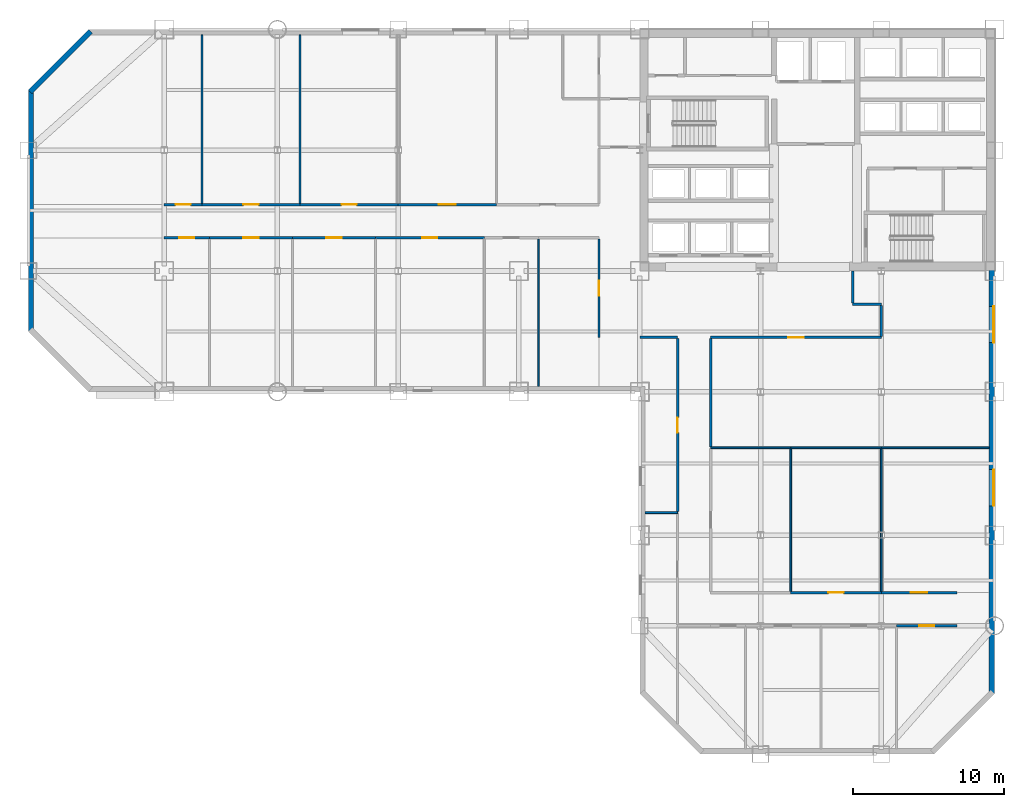
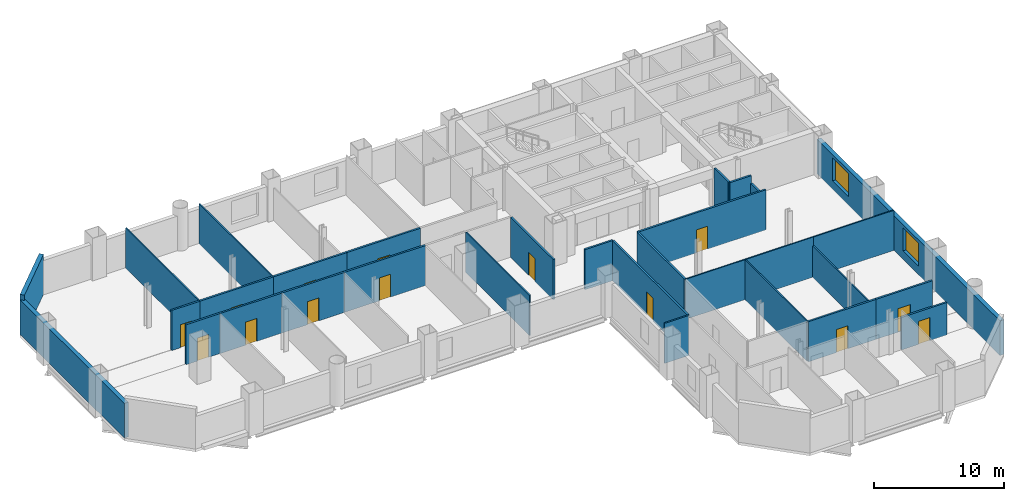
# One storey, part 5 of 9: 31 walls, 14 doors, 2 windows, 16 openings.
"""IFC4 building model written with IfcOpenShell, lengths in metres."""

from ifc_helpers import new_model, si_unit, direction, frame, frame_2d, origin, place, context, subcontext, project, spatial, rectangle, extrude, material, layer, layer_set, type_object, element, fill, save


model = new_model("IFC4")

# Units and contexts
model_context = context("Model", 3, precision=1e-05, world=origin(), true_north=direction((0.0, 1.0)))
body_context = subcontext(model_context, "Body", "Model", "MODEL_VIEW")
ifc_project = project(units=[si_unit("LENGTHUNIT", "METRE"), si_unit("AREAUNIT", "SQUARE_METRE"), si_unit("VOLUMEUNIT", "CUBIC_METRE"), si_unit("PLANEANGLEUNIT", "RADIAN"), si_unit("MASSUNIT", "GRAM", prefix="KILO")], contexts=[model_context])

# Site, building, storey
site_placement = place(None, origin())
site = spatial("IfcSite", under=ifc_project, at=site_placement, CompositionType="ELEMENT")
building_placement = place(site_placement, origin())
building = spatial("IfcBuilding", under=site, at=building_placement, Name="Qianrong Seaharbour Tower", CompositionType="ELEMENT")
storey_placement = place(building_placement, frame((0.0, 0.0, 96.199951171875)))
storey = spatial("IfcBuildingStorey", under=building, at=storey_placement, Name="L23", CompositionType="ELEMENT", Elevation=96.199951171875)

# Wall, opening, door
ifc_material_1 = material(Name="Fire-rated acoustic gypsum board partition")
ifc_layer_1 = layer(ifc_material_1, 0.1650390625)
ifc_layer_set_1 = layer_set([ifc_layer_1], Name="Fire-rated acoustic gypsum board partition")
wall_type_1 = type_object("IfcWallType", Name="WALL-CORR-PART-165", PredefinedType="PARTITIONING", material=ifc_layer_set_1)
wall_1_placement = place(storey_placement, frame((9.0, 40.39990234375, 0.0), z_axis=(0.0, 0.0, 1.0), x_axis=(1.0, 0.0, 0.0)))
wall_1 = element("IfcWall", 1, at=wall_1_placement, inside=storey, type_object=wall_type_1, Name="L23 Interior Partition Wall 015", PredefinedType="PARTITIONING", context=body_context, shape_type="SweptSolid", body=[
    extrude(rectangle(XDim=2.5, YDim=0.1650390625, at=frame_2d((1.25, 0.0))), origin(), (0.0, 0.0, 1.0), 3.75),
])
opening_1_placement = place(wall_1_placement, frame((0.75, 0.0, 0.0)))
opening_1 = element("IfcOpeningElement", 2, at=opening_1_placement, cuts=wall_1, Name="Opening DO-01", PredefinedType="OPENING", context=body_context, shape_type="SweptSolid", body=[
    extrude(rectangle(XDim=1.0, YDim=2.14990234375, at=frame_2d((0.5, 1.074951171875))), frame((0.0, 0.092529296875, 0.0), z_axis=(0.0, -1.0, 0.0), x_axis=(1.0, 0.0, 0.0)), (0.0, 0.0, 1.0), 0.18505859375),
])
ifc_material_2 = material(Name="Acoustic timber and galvanized steel fire door assembly", Category="steel")
door_type_1 = type_object("IfcDoorType", Name="DOOR-OFFICE-1000x2150", OperationType="NOTDEFINED", PredefinedType="DOOR", material=ifc_material_2)
door_1_placement = place(opening_1_placement, origin())
door_1 = element("IfcDoor", 3, at=door_1_placement, inside=storey, type_object=door_type_1, Name="L23 Vessel Model Showroom 1 Door", OperationType="SINGLE_SWING_RIGHT", OverallHeight=2.14990234375, OverallWidth=1.0, PredefinedType="DOOR", context=body_context, shape_type="SweptSolid", body=[
    extrude(rectangle(XDim=1.0, YDim=2.14990234375, at=frame_2d((0.5, 1.074951171875))), frame((0.0, 0.02490234375, 0.0), z_axis=(0.0, -1.0, 0.0), x_axis=(1.0, 0.0, 0.0)), (0.0, 0.0, 1.0), 0.050048828125),
])
fill(opening_1, door_1)

wall_2_placement = place(storey_placement, frame((11.5, 40.39990234375, 0.0), z_axis=(0.0, 0.0, 1.0), x_axis=(1.0, 0.0, 0.0)))
wall_2 = element("IfcWall", 4, at=wall_2_placement, inside=storey, type_object=wall_type_1, Name="L23 Interior Partition Wall 016", PredefinedType="PARTITIONING", context=body_context, shape_type="SweptSolid", body=[
    extrude(rectangle(XDim=6.5, YDim=0.1650390625, at=frame_2d((3.25, 0.0))), origin(), (0.0, 0.0, 1.0), 3.75),
])
opening_2_placement = place(wall_2_placement, frame((2.75, 0.0, 0.0)))
opening_2 = element("IfcOpeningElement", 5, at=opening_2_placement, cuts=wall_2, Name="Opening DO-01", PredefinedType="OPENING", context=body_context, shape_type="SweptSolid", body=[
    extrude(rectangle(XDim=1.0, YDim=2.14990234375, at=frame_2d((0.5, 1.074951171875))), frame((0.0, 0.092529296875, 0.0), z_axis=(0.0, -1.0, 0.0), x_axis=(1.0, 0.0, 0.0)), (0.0, 0.0, 1.0), 0.18505859375),
])
door_2_placement = place(opening_2_placement, origin())
door_2 = element("IfcDoor", 6, at=door_2_placement, inside=storey, type_object=door_type_1, Name="L23 Navigation Systems Showroom 2 Door", OperationType="SINGLE_SWING_LEFT", OverallHeight=2.14990234375, OverallWidth=1.0, PredefinedType="DOOR", context=body_context, shape_type="SweptSolid", body=[
    extrude(rectangle(XDim=1.0, YDim=2.14990234375, at=frame_2d((0.5, 1.074951171875))), frame((0.0, 0.02490234375, 0.0), z_axis=(0.0, -1.0, 0.0), x_axis=(1.0, 0.0, 0.0)), (0.0, 0.0, 1.0), 0.050048828125),
])
fill(opening_2, door_2)

wall_3_placement = place(storey_placement, frame((18.0, 40.39990234375, 0.0), z_axis=(0.0, 0.0, 1.0), x_axis=(1.0, 0.0, 0.0)))
wall_3 = element("IfcWall", 7, at=wall_3_placement, inside=storey, type_object=wall_type_1, Name="L23 Interior Partition Wall 017", PredefinedType="PARTITIONING", context=body_context, shape_type="SweptSolid", body=[
    extrude(rectangle(XDim=6.5, YDim=0.1650390625, at=frame_2d((3.25, 0.0))), origin(), (0.0, 0.0, 1.0), 3.75),
])
opening_3_placement = place(wall_3_placement, frame((2.75, 0.0, 0.0)))
opening_3 = element("IfcOpeningElement", 8, at=opening_3_placement, cuts=wall_3, Name="Opening DO-01", PredefinedType="OPENING", context=body_context, shape_type="SweptSolid", body=[
    extrude(rectangle(XDim=1.0, YDim=2.14990234375, at=frame_2d((0.5, 1.074951171875))), frame((0.0, 0.092529296875, 0.0), z_axis=(0.0, -1.0, 0.0), x_axis=(1.0, 0.0, 0.0)), (0.0, 0.0, 1.0), 0.18505859375),
])
door_3_placement = place(opening_3_placement, origin())
door_3 = element("IfcDoor", 9, at=door_3_placement, inside=storey, type_object=door_type_1, Name="L23 Marine Propulsion Showroom 3 Door", OperationType="SINGLE_SWING_RIGHT", OverallHeight=2.14990234375, OverallWidth=1.0, PredefinedType="DOOR", context=body_context, shape_type="SweptSolid", body=[
    extrude(rectangle(XDim=1.0, YDim=2.14990234375, at=frame_2d((0.5, 1.074951171875))), frame((0.0, 0.02490234375, 0.0), z_axis=(0.0, -1.0, 0.0), x_axis=(1.0, 0.0, 0.0)), (0.0, 0.0, 1.0), 0.050048828125),
])
fill(opening_3, door_3)

wall_4_placement = place(storey_placement, frame((24.5, 40.39990234375, 0.0), z_axis=(0.0, 0.0, 1.0), x_axis=(1.0, 0.0, 0.0)))
wall_4 = element("IfcWall", 10, at=wall_4_placement, inside=storey, type_object=wall_type_1, Name="L23 Interior Partition Wall 018", PredefinedType="PARTITIONING", context=body_context, shape_type="SweptSolid", body=[
    extrude(rectangle(XDim=6.5, YDim=0.1650390625, at=frame_2d((3.25, 0.0))), origin(), (0.0, 0.0, 1.0), 3.75),
])
opening_4_placement = place(wall_4_placement, frame((2.699951171875, 0.0, 0.0)))
opening_4 = element("IfcOpeningElement", 11, at=opening_4_placement, cuts=wall_4, Name="Opening DM-01", PredefinedType="OPENING", context=body_context, shape_type="SweptSolid", body=[
    extrude(rectangle(XDim=1.10009765625, YDim=2.199951171875, at=frame_2d((0.550048828125, 1.10009765625))), frame((0.0, 0.092529296875, 0.0), z_axis=(0.0, -1.0, 0.0), x_axis=(1.0, 0.0, 0.0)), (0.0, 0.0, 1.0), 0.18505859375),
])
door_type_2 = type_object("IfcDoorType", Name="DOOR-MEET-1100x2200", OperationType="NOTDEFINED", PredefinedType="DOOR", material=ifc_material_2)
door_4_placement = place(opening_4_placement, origin())
door_4 = element("IfcDoor", 12, at=door_4_placement, inside=storey, type_object=door_type_2, Name="L23 Contract Meeting Room 4 Door", OperationType="SINGLE_SWING_LEFT", OverallHeight=2.199951171875, OverallWidth=1.10009765625, PredefinedType="DOOR", context=body_context, shape_type="SweptSolid", body=[
    extrude(rectangle(XDim=1.10009765625, YDim=2.199951171875, at=frame_2d((0.550048828125, 1.10009765625))), frame((0.0, 0.02490234375, 0.0), z_axis=(0.0, -1.0, 0.0), x_axis=(1.0, 0.0, 0.0)), (0.0, 0.0, 1.0), 0.050048828125),
])
fill(opening_4, door_4)

wall_5_placement = place(storey_placement, frame((12.0, 38.199951171875, 0.0), z_axis=(0.0, 0.0, 1.0), x_axis=(-1.0, 0.0, 0.0)))
wall_5 = element("IfcWall", 13, at=wall_5_placement, inside=storey, type_object=wall_type_1, Name="L23 Interior Partition Wall 020", PredefinedType="PARTITIONING", context=body_context, shape_type="SweptSolid", body=[
    extrude(rectangle(XDim=3.0, YDim=0.1650390625, at=frame_2d((1.5, 0.0))), origin(), (0.0, 0.0, 1.0), 3.75),
])
opening_5_placement = place(wall_5_placement, frame((1.0, 0.0, 0.0)))
opening_5 = element("IfcOpeningElement", 14, at=opening_5_placement, cuts=wall_5, Name="Opening DO-01", PredefinedType="OPENING", context=body_context, shape_type="SweptSolid", body=[
    extrude(rectangle(XDim=1.0, YDim=2.14990234375, at=frame_2d((0.5, 1.074951171875))), frame((0.0, 0.092529296875, 0.0), z_axis=(0.0, -1.0, 0.0), x_axis=(1.0, 0.0, 0.0)), (0.0, 0.0, 1.0), 0.18505859375),
])
door_5_placement = place(opening_5_placement, origin())
door_5 = element("IfcDoor", 15, at=door_5_placement, inside=storey, type_object=door_type_1, Name="L23 Cargo Systems Showroom 1 Door", OperationType="SINGLE_SWING_LEFT", OverallHeight=2.14990234375, OverallWidth=1.0, PredefinedType="DOOR", context=body_context, shape_type="SweptSolid", body=[
    extrude(rectangle(XDim=1.0, YDim=2.14990234375, at=frame_2d((0.5, 1.074951171875))), frame((0.0, 0.02490234375, 0.0), z_axis=(0.0, -1.0, 0.0), x_axis=(1.0, 0.0, 0.0)), (0.0, 0.0, 1.0), 0.050048828125),
])
fill(opening_5, door_5)

wall_6_placement = place(storey_placement, frame((17.5, 38.199951171875, 0.0), z_axis=(0.0, 0.0, 1.0), x_axis=(-1.0, 0.0, 0.0)))
wall_6 = element("IfcWall", 16, at=wall_6_placement, inside=storey, type_object=wall_type_1, Name="L23 Interior Partition Wall 021", PredefinedType="PARTITIONING", context=body_context, shape_type="SweptSolid", body=[
    extrude(rectangle(XDim=5.5, YDim=0.1650390625, at=frame_2d((2.75, 0.0))), origin(), (0.0, 0.0, 1.0), 3.75),
])
opening_6_placement = place(wall_6_placement, frame((2.25, 0.0, 0.0)))
opening_6 = element("IfcOpeningElement", 17, at=opening_6_placement, cuts=wall_6, Name="Opening DO-01", PredefinedType="OPENING", context=body_context, shape_type="SweptSolid", body=[
    extrude(rectangle(XDim=1.0, YDim=2.14990234375, at=frame_2d((0.5, 1.074951171875))), frame((0.0, 0.092529296875, 0.0), z_axis=(0.0, -1.0, 0.0), x_axis=(1.0, 0.0, 0.0)), (0.0, 0.0, 1.0), 0.18505859375),
])
door_6_placement = place(opening_6_placement, origin())
door_6 = element("IfcDoor", 18, at=door_6_placement, inside=storey, type_object=door_type_1, Name="L23 Fleet Logistics Showroom 2 Door", OperationType="SINGLE_SWING_RIGHT", OverallHeight=2.14990234375, OverallWidth=1.0, PredefinedType="DOOR", context=body_context, shape_type="SweptSolid", body=[
    extrude(rectangle(XDim=1.0, YDim=2.14990234375, at=frame_2d((0.5, 1.074951171875))), frame((0.0, 0.02490234375, 0.0), z_axis=(0.0, -1.0, 0.0), x_axis=(1.0, 0.0, 0.0)), (0.0, 0.0, 1.0), 0.050048828125),
])
fill(opening_6, door_6)

wall_7_placement = place(storey_placement, frame((23.0, 38.199951171875, 0.0), z_axis=(0.0, 0.0, 1.0), x_axis=(-1.0, 0.0, 0.0)))
wall_7 = element("IfcWall", 19, at=wall_7_placement, inside=storey, type_object=wall_type_1, Name="L23 Interior Partition Wall 022", PredefinedType="PARTITIONING", context=body_context, shape_type="SweptSolid", body=[
    extrude(rectangle(XDim=5.5, YDim=0.1650390625, at=frame_2d((2.75, 0.0))), origin(), (0.0, 0.0, 1.0), 3.75),
])
opening_7_placement = place(wall_7_placement, frame((2.25, 0.0, 0.0)))
opening_7 = element("IfcOpeningElement", 20, at=opening_7_placement, cuts=wall_7, Name="Opening DO-01", PredefinedType="OPENING", context=body_context, shape_type="SweptSolid", body=[
    extrude(rectangle(XDim=1.0, YDim=2.14990234375, at=frame_2d((0.5, 1.074951171875))), frame((0.0, 0.092529296875, 0.0), z_axis=(0.0, -1.0, 0.0), x_axis=(1.0, 0.0, 0.0)), (0.0, 0.0, 1.0), 0.18505859375),
])
door_7_placement = place(opening_7_placement, origin())
door_7 = element("IfcDoor", 21, at=door_7_placement, inside=storey, type_object=door_type_1, Name="L23 VIP Client Lounge 3 Door", OperationType="SINGLE_SWING_LEFT", OverallHeight=2.14990234375, OverallWidth=1.0, PredefinedType="DOOR", context=body_context, shape_type="SweptSolid", body=[
    extrude(rectangle(XDim=1.0, YDim=2.14990234375, at=frame_2d((0.5, 1.074951171875))), frame((0.0, 0.02490234375, 0.0), z_axis=(0.0, -1.0, 0.0), x_axis=(1.0, 0.0, 0.0)), (0.0, 0.0, 1.0), 0.050048828125),
])
fill(opening_7, door_7)

wall_8_placement = place(storey_placement, frame((30.199951171875, 38.199951171875, 0.0), z_axis=(0.0, 0.0, 1.0), x_axis=(-1.0, 0.0, 0.0)))
wall_8 = element("IfcWall", 22, at=wall_8_placement, inside=storey, type_object=wall_type_1, Name="L23 Interior Partition Wall 023", PredefinedType="PARTITIONING", context=body_context, shape_type="SweptSolid", body=[
    extrude(rectangle(XDim=7.199951171875, YDim=0.1650390625, at=frame_2d((3.60009765625, 0.0))), origin(), (0.0, 0.0, 1.0), 3.75),
])
opening_8_placement = place(wall_8_placement, frame((3.10009765625, 0.0, 0.0)))
opening_8 = element("IfcOpeningElement", 23, at=opening_8_placement, cuts=wall_8, Name="Opening DO-01", PredefinedType="OPENING", context=body_context, shape_type="SweptSolid", body=[
    extrude(rectangle(XDim=1.0, YDim=2.14990234375, at=frame_2d((0.5, 1.074951171875))), frame((0.0, 0.092529296875, 0.0), z_axis=(0.0, -1.0, 0.0), x_axis=(1.0, 0.0, 0.0)), (0.0, 0.0, 1.0), 0.18505859375),
])
door_8_placement = place(opening_8_placement, origin())
door_8 = element("IfcDoor", 24, at=door_8_placement, inside=storey, type_object=door_type_1, Name="L23 Cargo Systems Showroom 4 Door", OperationType="SINGLE_SWING_RIGHT", OverallHeight=2.14990234375, OverallWidth=1.0, PredefinedType="DOOR", context=body_context, shape_type="SweptSolid", body=[
    extrude(rectangle(XDim=1.0, YDim=2.14990234375, at=frame_2d((0.5, 1.074951171875))), frame((0.0, 0.02490234375, 0.0), z_axis=(0.0, -1.0, 0.0), x_axis=(1.0, 0.0, 0.0)), (0.0, 0.0, 1.0), 0.050048828125),
])
fill(opening_8, door_8)

wall_9_placement = place(storey_placement, frame((37.800048828125, 31.60009765625, 0.0), z_axis=(0.0, 0.0, 1.0), x_axis=(0.0, 1.0, 0.0)))
wall_9 = element("IfcWall", 25, at=wall_9_placement, inside=storey, type_object=wall_type_1, Name="L23 Interior Partition Wall 027", PredefinedType="PARTITIONING", context=body_context, shape_type="SweptSolid", body=[
    extrude(rectangle(XDim=6.525390625, YDim=0.1650390625, at=frame_2d((3.2626953125, 0.0))), origin(), (0.0, 0.0, 1.0), 3.75),
])
opening_9_placement = place(wall_9_placement, frame((2.7626953125, 0.0, 0.0)))
opening_9 = element("IfcOpeningElement", 26, at=opening_9_placement, cuts=wall_9, Name="Opening DO-01", PredefinedType="OPENING", context=body_context, shape_type="SweptSolid", body=[
    extrude(rectangle(XDim=1.0, YDim=2.14990234375, at=frame_2d((0.5, 1.074951171875))), frame((0.0, 0.092529296875, 0.0), z_axis=(0.0, -1.0, 0.0), x_axis=(1.0, 0.0, 0.0)), (0.0, 0.0, 1.0), 0.18505859375),
])
door_9_placement = place(opening_9_placement, origin())
door_9 = element("IfcDoor", 27, at=door_9_placement, inside=storey, type_object=door_type_1, Name="L23 VIP Client Lounge 6 Door", OperationType="SINGLE_SWING_RIGHT", OverallHeight=2.14990234375, OverallWidth=1.0, PredefinedType="DOOR", context=body_context, shape_type="SweptSolid", body=[
    extrude(rectangle(XDim=1.0, YDim=2.14990234375, at=frame_2d((0.5, 1.074951171875))), frame((0.0, 0.02490234375, 0.0), z_axis=(0.0, -1.0, 0.0), x_axis=(1.0, 0.0, 0.0)), (0.0, 0.0, 1.0), 0.050048828125),
])
fill(opening_9, door_9)

# Walls
wall_10_placement = place(storey_placement, frame((54.60009765625, 36.0, 0.0), z_axis=(0.0, 0.0, 1.0), x_axis=(0.0, -1.0, 0.0)))
element("IfcWall", 28, at=wall_10_placement, inside=storey, type_object=wall_type_1, Name="L23 Interior Partition Wall 028", PredefinedType="PARTITIONING", context=body_context, shape_type="SweptSolid", body=[
    extrude(rectangle(XDim=2.12548828125, YDim=0.1650390625, at=frame_2d((1.062744140625, 0.0))), origin(), (0.0, 0.0, 1.0), 3.75),
])
wall_11_placement = place(storey_placement, frame((54.60009765625, 33.800048828125, 0.0), z_axis=(0.0, 0.0, 1.0), x_axis=(1.0, 0.0, 0.0)))
element("IfcWall", 29, at=wall_11_placement, inside=storey, type_object=wall_type_1, Name="L23 Interior Partition Wall 029", PredefinedType="PARTITIONING", context=body_context, shape_type="SweptSolid", body=[
    extrude(rectangle(XDim=1.89990234375, YDim=0.1650390625, at=frame_2d((0.949951171875, 0.0))), origin(), (0.0, 0.0, 1.0), 3.75),
])
wall_12_placement = place(storey_placement, frame((56.5, 33.7255859375, 0.0), z_axis=(0.0, 0.0, 1.0), x_axis=(0.0, -1.0, 0.0)))
element("IfcWall", 30, at=wall_12_placement, inside=storey, type_object=wall_type_1, Name="L23 Interior Partition Wall 030", PredefinedType="PARTITIONING", context=body_context, shape_type="SweptSolid", body=[
    extrude(rectangle(XDim=2.051025390625, YDim=0.1650390625, at=frame_2d((1.025390625, 0.0))), origin(), (0.0, 0.0, 1.0), 3.0419921875),
])

# Wall, opening, door
wall_13_placement = place(storey_placement, frame((56.5, 31.60009765625, 0.0), z_axis=(0.0, 0.0, 1.0), x_axis=(-1.0, 0.0, 0.0)))
wall_13 = element("IfcWall", 31, at=wall_13_placement, inside=storey, type_object=wall_type_1, Name="L23 Interior Partition Wall 031", PredefinedType="PARTITIONING", context=body_context, shape_type="SweptSolid", body=[
    extrude(rectangle(XDim=11.300048828125, YDim=0.1650390625, at=frame_2d((5.64990234375, 0.0))), origin(), (0.0, 0.0, 1.0), 3.75),
])
opening_10_placement = place(wall_13_placement, frame((5.14990234375, 0.0, 0.0)))
opening_10 = element("IfcOpeningElement", 32, at=opening_10_placement, cuts=wall_13, Name="Opening DO-01", PredefinedType="OPENING", context=body_context, shape_type="SweptSolid", body=[
    extrude(rectangle(XDim=1.0, YDim=2.14990234375, at=frame_2d((0.5, 1.074951171875))), frame((0.0, 0.092529296875, 0.0), z_axis=(0.0, -1.0, 0.0), x_axis=(1.0, 0.0, 0.0)), (0.0, 0.0, 1.0), 0.18505859375),
])
door_10_placement = place(opening_10_placement, origin())
door_10 = element("IfcDoor", 33, at=door_10_placement, inside=storey, type_object=door_type_1, Name="L23 Commercial Desk Open-Plan Office Door", OperationType="SINGLE_SWING_RIGHT", OverallHeight=2.14990234375, OverallWidth=1.0, PredefinedType="DOOR", context=body_context, shape_type="SweptSolid", body=[
    extrude(rectangle(XDim=1.0, YDim=2.14990234375, at=frame_2d((0.5, 1.074951171875))), frame((0.0, 0.02490234375, 0.0), z_axis=(0.0, -1.0, 0.0), x_axis=(1.0, 0.0, 0.0)), (0.0, 0.0, 1.0), 0.050048828125),
])
fill(opening_10, door_10)

# Walls
wall_14_placement = place(storey_placement, frame((43.0, 31.60009765625, 0.0), z_axis=(0.0, 0.0, 1.0), x_axis=(-1.0, 0.0, 0.0)))
element("IfcWall", 34, at=wall_14_placement, inside=storey, type_object=wall_type_1, Name="L23 Interior Partition Wall 032", PredefinedType="PARTITIONING", context=body_context, shape_type="SweptSolid", body=[
    extrude(rectangle(XDim=2.5, YDim=0.1650390625, at=frame_2d((1.25, 0.0))), origin(), (0.0, 0.0, 1.0), 3.75),
])
wall_15_placement = place(storey_placement, frame((45.199951171875, 31.525390625, 0.0), z_axis=(0.0, 0.0, 1.0), x_axis=(0.0, -1.0, 0.0)))
element("IfcWall", 35, at=wall_15_placement, inside=storey, type_object=wall_type_1, Name="L23 Interior Partition Wall 033", PredefinedType="PARTITIONING", context=body_context, shape_type="SweptSolid", body=[
    extrude(rectangle(XDim=7.1884765625, YDim=0.1650390625, at=frame_2d((3.59423828125, 0.0))), origin(), (0.0, 0.0, 1.0), 3.75),
])

# Wall, opening, door
wall_16_placement = place(storey_placement, frame((43.0, 20.056884765625, 0.0), z_axis=(0.0, 0.0, 1.0), x_axis=(0.0, 1.0, 0.0)))
wall_16 = element("IfcWall", 36, at=wall_16_placement, inside=storey, type_object=wall_type_1, Name="L23 Interior Partition Wall 036", PredefinedType="PARTITIONING", context=body_context, shape_type="SweptSolid", body=[
    extrude(rectangle(XDim=11.468505859375, YDim=0.1650390625, at=frame_2d((5.734375, 0.0))), origin(), (0.0, 0.0, 1.0), 3.75),
])
opening_11_placement = place(wall_16_placement, frame((5.234375, 0.0, 0.0)))
opening_11 = element("IfcOpeningElement", 37, at=opening_11_placement, cuts=wall_16, Name="Opening DO-01", PredefinedType="OPENING", context=body_context, shape_type="SweptSolid", body=[
    extrude(rectangle(XDim=1.0, YDim=2.14990234375, at=frame_2d((0.5, 1.074951171875))), frame((0.0, 0.092529296875, 0.0), z_axis=(0.0, -1.0, 0.0), x_axis=(1.0, 0.0, 0.0)), (0.0, 0.0, 1.0), 0.18505859375),
])
door_11_placement = place(opening_11_placement, origin())
door_11 = element("IfcDoor", 38, at=door_11_placement, inside=storey, type_object=door_type_1, Name="L23 Maritime Fleet Gallery 2 Door", OperationType="SINGLE_SWING_RIGHT", OverallHeight=2.14990234375, OverallWidth=1.0, PredefinedType="DOOR", context=body_context, shape_type="SweptSolid", body=[
    extrude(rectangle(XDim=1.0, YDim=2.14990234375, at=frame_2d((0.5, 1.074951171875))), frame((0.0, 0.02490234375, 0.0), z_axis=(0.0, -1.0, 0.0), x_axis=(1.0, 0.0, 0.0)), (0.0, 0.0, 1.0), 0.050048828125),
])
fill(opening_11, door_11)

wall_17_placement = place(storey_placement, frame((50.5, 14.699951171875, 0.0), z_axis=(0.0, 0.0, 1.0), x_axis=(1.0, 0.0, 0.0)))
wall_17 = element("IfcWall", 39, at=wall_17_placement, inside=storey, type_object=wall_type_1, Name="L23 Interior Partition Wall 039", PredefinedType="PARTITIONING", context=body_context, shape_type="SweptSolid", body=[
    extrude(rectangle(XDim=6.0, YDim=0.1650390625, at=frame_2d((3.0, 0.0))), origin(), (0.0, 0.0, 1.0), 3.75),
])
opening_12_placement = place(wall_17_placement, frame((2.5, 0.0, 0.0)))
opening_12 = element("IfcOpeningElement", 40, at=opening_12_placement, cuts=wall_17, Name="Opening DO-01", PredefinedType="OPENING", context=body_context, shape_type="SweptSolid", body=[
    extrude(rectangle(XDim=1.0, YDim=2.14990234375, at=frame_2d((0.5, 1.074951171875))), frame((0.0, 0.092529296875, 0.0), z_axis=(0.0, -1.0, 0.0), x_axis=(1.0, 0.0, 0.0)), (0.0, 0.0, 1.0), 0.18505859375),
])
door_12_placement = place(opening_12_placement, origin())
door_12 = element("IfcDoor", 41, at=door_12_placement, inside=storey, type_object=door_type_1, Name="L23 Port Equipment Showroom 2 Door", OperationType="SINGLE_SWING_RIGHT", OverallHeight=2.14990234375, OverallWidth=1.0, PredefinedType="DOOR", context=body_context, shape_type="SweptSolid", body=[
    extrude(rectangle(XDim=1.0, YDim=2.14990234375, at=frame_2d((0.5, 1.074951171875))), frame((0.0, 0.02490234375, 0.0), z_axis=(0.0, -1.0, 0.0), x_axis=(1.0, 0.0, 0.0)), (0.0, 0.0, 1.0), 0.050048828125),
])
fill(opening_12, door_12)

wall_18_placement = place(storey_placement, frame((56.5, 14.699951171875, 0.0), z_axis=(0.0, 0.0, 1.0), x_axis=(1.0, 0.0, 0.0)))
wall_18 = element("IfcWall", 42, at=wall_18_placement, inside=storey, type_object=wall_type_1, Name="L23 Interior Partition Wall 040", PredefinedType="PARTITIONING", context=body_context, shape_type="SweptSolid", body=[
    extrude(rectangle(XDim=5.0, YDim=0.1650390625, at=frame_2d((2.5, 0.0))), origin(), (0.0, 0.0, 1.0), 3.75),
])
opening_13_placement = place(wall_18_placement, frame((1.949951171875, 0.0, 0.0)))
opening_13 = element("IfcOpeningElement", 43, at=opening_13_placement, cuts=wall_18, Name="Opening DM-01", PredefinedType="OPENING", context=body_context, shape_type="SweptSolid", body=[
    extrude(rectangle(XDim=1.10009765625, YDim=2.199951171875, at=frame_2d((0.550048828125, 1.10009765625))), frame((0.0, 0.092529296875, 0.0), z_axis=(0.0, -1.0, 0.0), x_axis=(1.0, 0.0, 0.0)), (0.0, 0.0, 1.0), 0.18505859375),
])
door_13_placement = place(opening_13_placement, origin())
door_13 = element("IfcDoor", 44, at=door_13_placement, inside=storey, type_object=door_type_2, Name="L23 Trade Meeting Room 3 Door", OperationType="SINGLE_SWING_LEFT", OverallHeight=2.199951171875, OverallWidth=1.10009765625, PredefinedType="DOOR", context=body_context, shape_type="SweptSolid", body=[
    extrude(rectangle(XDim=1.10009765625, YDim=2.199951171875, at=frame_2d((0.550048828125, 1.10009765625))), frame((0.0, 0.02490234375, 0.0), z_axis=(0.0, -1.0, 0.0), x_axis=(1.0, 0.0, 0.0)), (0.0, 0.0, 1.0), 0.050048828125),
])
fill(opening_13, door_13)

wall_19_placement = place(storey_placement, frame((61.5, 12.5, 0.0), z_axis=(0.0, 0.0, 1.0), x_axis=(-1.0, 0.0, 0.0)))
wall_19 = element("IfcWall", 45, at=wall_19_placement, inside=storey, type_object=wall_type_1, Name="L23 Interior Partition Wall 044", PredefinedType="PARTITIONING", context=body_context, shape_type="SweptSolid", body=[
    extrude(rectangle(XDim=4.0, YDim=0.1650390625, at=frame_2d((2.0, 0.0))), origin(), (0.0, 0.0, 1.0), 3.0419921875),
])
opening_14_placement = place(wall_19_placement, frame((1.5, 0.0, 0.0)))
opening_14 = element("IfcOpeningElement", 46, at=opening_14_placement, cuts=wall_19, Name="Opening DO-01", PredefinedType="OPENING", context=body_context, shape_type="SweptSolid", body=[
    extrude(rectangle(XDim=1.0, YDim=2.14990234375, at=frame_2d((0.5, 1.074951171875))), frame((0.0, 0.092529296875, 0.0), z_axis=(0.0, -1.0, 0.0), x_axis=(1.0, 0.0, 0.0)), (0.0, 0.0, 1.0), 0.18505859375),
])
door_14_placement = place(opening_14_placement, origin())
door_14 = element("IfcDoor", 47, at=door_14_placement, inside=storey, type_object=door_type_1, Name="L23 Brokerage Office 4 Door", OperationType="SINGLE_SWING_RIGHT", OverallHeight=2.14990234375, OverallWidth=1.0, PredefinedType="DOOR", context=body_context, shape_type="SweptSolid", body=[
    extrude(rectangle(XDim=1.0, YDim=2.14990234375, at=frame_2d((0.5, 1.074951171875))), frame((0.0, 0.02490234375, 0.0), z_axis=(0.0, -1.0, 0.0), x_axis=(1.0, 0.0, 0.0)), (0.0, 0.0, 1.0), 0.050048828125),
])
fill(opening_14, door_14)

# Walls
ifc_material_3 = material(Name="Demountable aluminium-framed acoustic office partition", Category="aluminium")
ifc_layer_2 = layer(ifc_material_3, 0.110107421875)
ifc_layer_set_2 = layer_set([ifc_layer_2], Name="Demountable aluminium-framed acoustic office partition")
wall_type_2 = type_object("IfcWallType", Name="WALL-DEMOUNT-110", PredefinedType="MOVABLE", material=ifc_layer_set_2)
wall_20_placement = place(storey_placement, frame((50.5, 24.2900390625, 0.0), z_axis=(0.0, 0.0, 1.0), x_axis=(-1.0, 0.0, 0.0)))
element("IfcWall", 48, at=wall_20_placement, inside=storey, type_object=wall_type_2, Name="L23 Interior Partition Wall 045", PredefinedType="MOVABLE", context=body_context, shape_type="SweptSolid", body=[
    extrude(rectangle(XDim=5.300048828125, YDim=0.110107421875, at=frame_2d((2.64990234375, 0.0))), origin(), (0.0, 0.0, 1.0), 3.75),
])
wall_21_placement = place(storey_placement, frame((56.5, 24.2900390625, 0.0), z_axis=(0.0, 0.0, 1.0), x_axis=(-1.0, 0.0, 0.0)))
element("IfcWall", 49, at=wall_21_placement, inside=storey, type_object=wall_type_2, Name="L23 Interior Partition Wall 046", PredefinedType="MOVABLE", context=body_context, shape_type="SweptSolid", body=[
    extrude(rectangle(XDim=6.0, YDim=0.110107421875, at=frame_2d((3.0, 0.0))), origin(), (0.0, 0.0, 1.0), 3.75),
])
wall_22_placement = place(storey_placement, frame((63.64794921875, 24.2900390625, 0.0), z_axis=(0.0, 0.0, 1.0), x_axis=(-1.0, 0.0, 0.0)))
element("IfcWall", 50, at=wall_22_placement, inside=storey, type_object=wall_type_2, Name="L23 Interior Partition Wall 047", PredefinedType="MOVABLE", context=body_context, shape_type="SweptSolid", body=[
    extrude(rectangle(XDim=7.14794921875, YDim=0.110107421875, at=frame_2d((3.573974609375, 0.0))), origin(), (0.0, 0.0, 1.0), 3.75),
])
wall_23_placement = place(storey_placement, frame((50.5, 24.242919921875, 0.0), z_axis=(0.0, 0.0, 1.0), x_axis=(0.0, -1.0, 0.0)))
element("IfcWall", 51, at=wall_23_placement, inside=storey, type_object=wall_type_2, Name="L23 Interior Partition Wall 048", PredefinedType="MOVABLE", context=body_context, shape_type="SweptSolid", body=[
    extrude(rectangle(XDim=9.468505859375, YDim=0.110107421875, at=frame_2d((4.734375, 0.0))), origin(), (0.0, 0.0, 1.0), 3.75),
])
wall_24_placement = place(storey_placement, frame((56.5, 24.242919921875, 0.0), z_axis=(0.0, 0.0, 1.0), x_axis=(0.0, -1.0, 0.0)))
element("IfcWall", 52, at=wall_24_placement, inside=storey, type_object=wall_type_2, Name="L23 Interior Partition Wall 049", PredefinedType="MOVABLE", context=body_context, shape_type="SweptSolid", body=[
    extrude(rectangle(XDim=9.468505859375, YDim=0.110107421875, at=frame_2d((4.734375, 0.0))), origin(), (0.0, 0.0, 1.0), 2.942138671875),
])
for number, where, z_axis, x_axis, name in (
    (53, (11.5, 51.64794921875, 0.0), (0.0, 0.0, 1.0), (0.0, -1.0, 0.0), "L23 Interior Partition Wall 050"),
    (54, (18.0, 51.64794921875, 0.0), (0.0, 0.0, 1.0), (0.0, -1.0, 0.0), "L23 Interior Partition Wall 051"),
):
    element("IfcWall", number, at=place(storey_placement, frame(where, z_axis=z_axis, x_axis=x_axis)), inside=storey, type_object=wall_type_2, Name=name, PredefinedType="MOVABLE", context=body_context, shape_type="SweptSolid", body=[
        extrude(rectangle(XDim=11.17333984375, YDim=0.110107421875, at=frame_2d((5.586669921875, 0.0))), origin(), (0.0, 0.0, 1.0), 3.75),
    ])
wall_25_placement = place(storey_placement, frame((33.800048828125, 38.12548828125, 0.0), z_axis=(0.0, 0.0, 1.0), x_axis=(0.0, -1.0, 0.0)))
element("IfcWall", 55, at=wall_25_placement, inside=storey, type_object=wall_type_2, Name="L23 Interior Partition Wall 058", PredefinedType="MOVABLE", context=body_context, shape_type="SweptSolid", body=[
    extrude(rectangle(XDim=9.7734375, YDim=0.110107421875, at=frame_2d((4.88671875, 0.0))), origin(), (0.0, 0.0, 1.0), 3.75),
])
ifc_material_4 = material(Name="Unitised red brick on Precast concrete C45/55", Category="masonry")
ifc_layer_3 = layer(ifc_material_4, 0.360107421875)
ifc_layer_set_3 = layer_set([ifc_layer_3], Name="Unitised red brick on Precast concrete C45/55")
wall_type_3 = type_object("IfcWallType", Name="WALL-EXT-BRICK-RED-360", PredefinedType="SOLIDWALL", material=ifc_layer_set_3)
wall_26_placement = place(storey_placement, frame((0.179931640625, 32.0, 0.0), z_axis=(0.0, 0.0, 1.0), x_axis=(0.0, 1.0, 0.0)))
element("IfcWall", 56, at=wall_26_placement, inside=storey, type_object=wall_type_3, Name="L23 Exterior Masonry Facade Wall WEST_TIP", PredefinedType="SOLIDWALL", context=body_context, shape_type="SweptSolid", body=[
    extrude(rectangle(XDim=16.0, YDim=0.360107421875, at=frame_2d((8.0, 0.0))), origin(), (0.0, 0.0, 1.0), 3.25),
])
wall_27_placement = place(storey_placement, frame((0.127197265625, 47.872802734375, 0.0), z_axis=(0.0, 0.0, 1.0), x_axis=(0.707106781187, 0.707106781187, 0.0)))
element("IfcWall", 57, at=wall_27_placement, inside=storey, type_object=wall_type_3, Name="L23 Exterior Masonry Facade Wall E04", PredefinedType="SOLIDWALL", context=body_context, shape_type="SweptSolid", body=[
    extrude(rectangle(XDim=5.65673828125, YDim=0.360107421875, at=frame_2d((2.828369140625, 0.0))), origin(), (0.0, 0.0, 1.0), 3.75),
])

# Wall, openings, windows
wall_28_placement = place(storey_placement, frame((63.820068359375, 36.050048828125, 0.0), z_axis=(0.0, 0.0, 1.0), x_axis=(0.0, -1.0, 0.0)))
wall_28 = element("IfcWall", 58, at=wall_28_placement, inside=storey, type_object=wall_type_3, Name="L23 Exterior Masonry Facade Wall EAST_WING", PredefinedType="SOLIDWALL", context=body_context, shape_type="SweptSolid", body=[
    extrude(rectangle(XDim=28.050048828125, YDim=0.360107421875, at=frame_2d((14.02490234375, 0.0))), origin(), (0.0, 0.0, 1.0), 3.25),
])
opening_15_placement = place(wall_28_placement, frame((2.39990234375, 0.0, 0.800048828125)))
opening_15 = element("IfcOpeningElement", 59, at=opening_15_placement, cuts=wall_28, Name="Opening WN-07", PredefinedType="OPENING", context=body_context, shape_type="SweptSolid", body=[
    extrude(rectangle(XDim=2.39990234375, YDim=2.14990234375, at=frame_2d((1.199951171875, 1.074951171875))), frame((0.0, 0.18994140625, 0.0), z_axis=(0.0, -1.0, 0.0), x_axis=(1.0, 0.0, 0.0)), (0.0, 0.0, 1.0), 0.380126953125),
])
opening_16_placement = place(wall_28_placement, frame((13.199951171875, 0.0, 0.800048828125)))
opening_16 = element("IfcOpeningElement", 60, at=opening_16_placement, cuts=wall_28, Name="Opening WN-07", PredefinedType="OPENING", context=body_context, shape_type="SweptSolid", body=[
    extrude(rectangle(XDim=2.39990234375, YDim=2.14990234375, at=frame_2d((1.199951171875, 1.074951171875))), frame((0.0, 0.18994140625, 0.0), z_axis=(0.0, -1.0, 0.0), x_axis=(1.0, 0.0, 0.0)), (0.0, 0.0, 1.0), 0.380126953125),
])
ifc_material_5 = material(Name="Insulated low-e double glazing in thermally broken aluminium 6063-T6 frame", Category="aluminium")
window_type = type_object("IfcWindowType", Name="WIN-PUNCH-2400x2150", PartitioningType="TRIPLE_PANEL_VERTICAL", PredefinedType="WINDOW", material=ifc_material_5)
window_1_placement = place(opening_15_placement, origin())
window_1 = element("IfcWindow", 61, at=window_1_placement, inside=storey, type_object=window_type, Name="L23 Deep-Set Punched Window 06.01", OverallHeight=2.14990234375, OverallWidth=2.39990234375, PartitioningType="TRIPLE_PANEL_VERTICAL", PredefinedType="WINDOW", context=body_context, shape_type="SweptSolid", body=[
    extrude(rectangle(XDim=2.39990234375, YDim=2.14990234375, at=frame_2d((1.199951171875, 1.074951171875))), frame((0.0, 0.150146484375, 0.0), z_axis=(0.0, -1.0, 0.0), x_axis=(1.0, 0.0, 0.0)), (0.0, 0.0, 1.0), 0.06005859375),
])
fill(opening_15, window_1)
window_2_placement = place(opening_16_placement, origin())
window_2 = element("IfcWindow", 62, at=window_2_placement, inside=storey, type_object=window_type, Name="L23 Deep-Set Punched Window 06.04", OverallHeight=2.14990234375, OverallWidth=2.39990234375, PartitioningType="TRIPLE_PANEL_VERTICAL", PredefinedType="WINDOW", context=body_context, shape_type="SweptSolid", body=[
    extrude(rectangle(XDim=2.39990234375, YDim=2.14990234375, at=frame_2d((1.199951171875, 1.074951171875))), frame((0.0, 0.150146484375, 0.0), z_axis=(0.0, -1.0, 0.0), x_axis=(1.0, 0.0, 0.0)), (0.0, 0.0, 1.0), 0.06005859375),
])
fill(opening_16, window_2)

# Wall
ifc_material_6 = material(Name="Water-resistant cement board sanitary partition")
ifc_layer_4 = layer(ifc_material_6, 0.1298828125)
ifc_layer_set_4 = layer_set([ifc_layer_4], Name="Water-resistant cement board sanitary partition")
wall_type_4 = type_object("IfcWallType", Name="WALL-WET-PART-130", PredefinedType="PARTITIONING", material=ifc_layer_set_4)
wall_29_placement = place(storey_placement, frame((40.85205078125, 20.0, 0.0), z_axis=(0.0, 0.0, 1.0), x_axis=(1.0, 0.0, 0.0)))
element("IfcWall", 63, at=wall_29_placement, inside=storey, type_object=wall_type_4, Name="L23 Interior Partition Wall 059", PredefinedType="PARTITIONING", context=body_context, shape_type="SweptSolid", body=[
    extrude(rectangle(XDim=2.14794921875, YDim=0.1298828125, at=frame_2d((1.073974609375, 0.0))), origin(), (0.0, 0.0, 1.0), 3.75),
])

save(model, "model.ifc")
